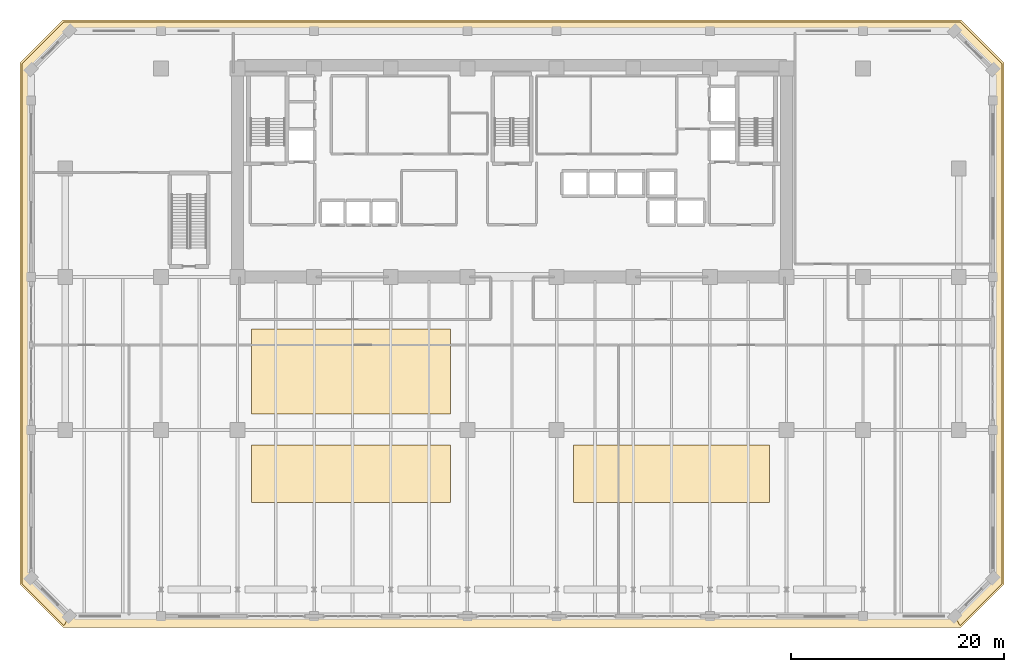
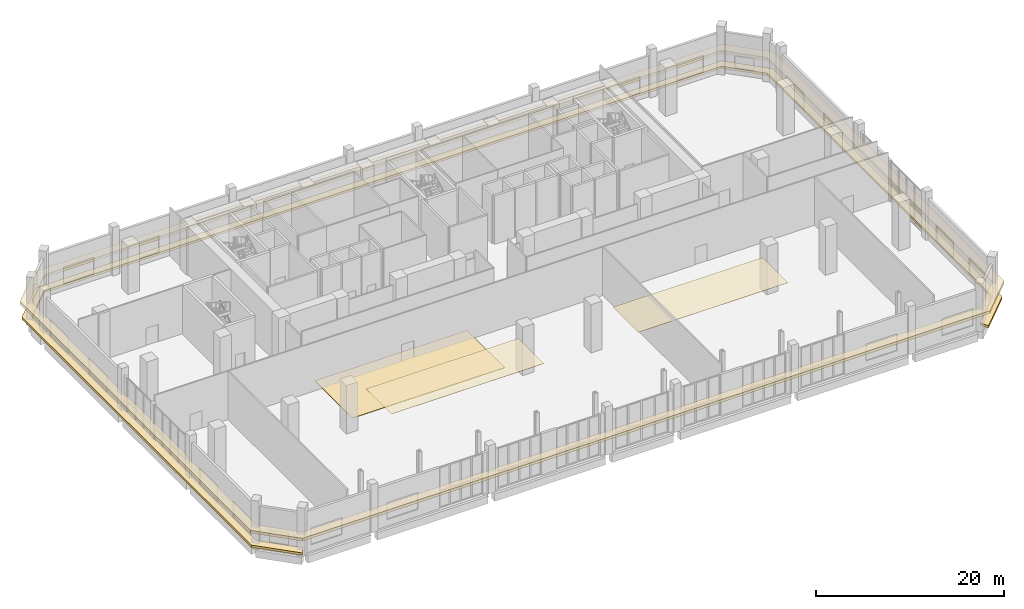
# One storey, part 27 of 29: 5 coverings.
"""IFC4 building model written with IfcOpenShell, lengths in metres."""

from ifc_helpers import new_model, si_unit, direction, frame, origin, place, context, subcontext, project, spatial, polyline, outline, extrude, material, layer, layer_set, type_object, element, save


model = new_model("IFC4")

# Units and contexts
model_context = context("Model", 3, precision=1e-05, world=origin(), true_north=direction((0.0, 1.0)))
body_context = subcontext(model_context, "Body", "Model", "MODEL_VIEW")
ifc_project = project(units=[si_unit("LENGTHUNIT", "METRE"), si_unit("AREAUNIT", "SQUARE_METRE"), si_unit("VOLUMEUNIT", "CUBIC_METRE"), si_unit("PLANEANGLEUNIT", "RADIAN"), si_unit("MASSUNIT", "GRAM", prefix="KILO")], contexts=[model_context])

# Site, building, storey
site_placement = place(None, origin())
site = spatial("IfcSite", under=ifc_project, at=site_placement, CompositionType="ELEMENT")
building_placement = place(site_placement, origin())
building = spatial("IfcBuilding", under=site, at=building_placement, Name="Kaelvorn Grand Hotel", CompositionType="ELEMENT")
storey_placement = place(building_placement, frame((0.0, 0.0, 19.39990234375)))
storey = spatial("IfcBuildingStorey", under=building, at=storey_placement, Name="L03", CompositionType="ELEMENT", Elevation=19.39990234375)

# Coverings
ifc_material_1 = material(Name="Precast concrete C45/55", Category="concrete")
ifc_layer_1 = layer(ifc_material_1, 0.260009765625)
ifc_layer_set_1 = layer_set([ifc_layer_1], Name="Precast concrete C45/55")
covering_type_1 = type_object("IfcCoveringType", Name="COV-BAND-STREAMLINE-HEAD", PredefinedType="CLADDING", material=ifc_layer_set_1)
covering_1_placement = place(storey_placement, frame((0.0, 0.0, 2.420166015625)))
element("IfcCovering", 1, at=covering_1_placement, inside=storey, type_object=covering_type_1, Name="L03 Streamline Moderne Wraparound Horizontal Eyebrow Band", PredefinedType="CLADDING", context=body_context, shape_type="SweptSolid", body=[
    extrude(outline(polyline([(-0.2099609375, -3.550048828125), (84.2099609375, -3.550048828125), (88.25, 0.489990234375), (88.25, 49.510009765625), (84.2099609375, 53.550048828125), (-0.2099609375, 53.550048828125), (-4.25, 49.510009765625), (-4.25, 0.489990234375), (-0.2099609375, -3.550048828125)]), holes=[polyline([(0.419921875, -2.469970703125), (83.580078125, -2.469970703125), (87.169921875, 1.1201171875), (87.169921875, 48.8798828125), (83.580078125, 52.469970703125), (0.419921875, 52.469970703125), (-3.169921875, 48.8798828125), (-3.169921875, 1.1201171875), (0.419921875, -2.469970703125)])]), origin(), (0.0, 0.0, 1.0), 0.35986328125),
])
ifc_layer_2 = layer(ifc_material_1, 0.219970703125)
ifc_layer_set_2 = layer_set([ifc_layer_2], Name="Precast concrete C45/55")
covering_type_2 = type_object("IfcCoveringType", Name="COV-BAND-STREAMLINE-SILL", PredefinedType="CLADDING", material=ifc_layer_set_2)
covering_2_placement = place(storey_placement, frame((0.0, 0.0, 0.4501953125)))
element("IfcCovering", 2, at=covering_2_placement, inside=storey, type_object=covering_type_2, Name="L03 Streamline Moderne Wraparound Horizontal Sill Spandrel Band", PredefinedType="CLADDING", context=body_context, shape_type="SweptSolid", body=[
    extrude(outline(polyline([(84.115478515625, -3.3798828125), (88.080078125, 0.58447265625), (88.080078125, 49.41552734375), (84.115478515625, 53.3798828125), (-0.115478515625, 53.3798828125), (-4.080078125, 49.41552734375), (-4.080078125, 0.58447265625), (-0.115478515625, -3.3798828125), (0.41748046875, -2.469970703125), (-3.169921875, 1.11767578125), (-3.169921875, 48.88232421875), (0.41748046875, 52.469970703125), (83.58251953125, 52.469970703125), (87.169921875, 48.88232421875), (87.169921875, 1.11767578125), (83.58251953125, -2.469970703125), (84.115478515625, -3.3798828125)])), origin(), (0.0, 0.0, 1.0), 0.2998046875),
])
ifc_material_2 = material(Name="Slatted Malaysian Teak Timber Acoustic Baffle", Category="wood")
ifc_layer_3 = layer(ifc_material_2, 0.034912109375)
ifc_layer_set_3 = layer_set([ifc_layer_3], Name="Slatted Malaysian Teak Timber Acoustic Baffle")
covering_type_3 = type_object("IfcCoveringType", Name="COV-CEIL-TIMBER-35", PredefinedType="CEILING", material=ifc_layer_set_3)
covering_3_placement = place(storey_placement, frame((0.0, 0.0, 5.5625)))
element("IfcCovering", 3, at=covering_3_placement, inside=storey, type_object=covering_type_3, Name="L03 Suspended Acoustic Ceiling Panel 1", PredefinedType="CEILING", context=body_context, shape_type="SweptSolid", body=[
    extrude(outline(polyline([(17.5, 8.199951171875), (36.199951171875, 8.199951171875), (36.199951171875, 13.60009765625), (17.5, 13.60009765625), (17.5, 8.199951171875)])), origin(), (0.0, 0.0, 1.0), 0.03515625),
])
covering_4_placement = place(storey_placement, frame((0.0, 0.0, 5.5625)))
element("IfcCovering", 4, at=covering_4_placement, inside=storey, type_object=covering_type_3, Name="L03 Suspended Acoustic Ceiling Panel 2", PredefinedType="CEILING", context=body_context, shape_type="SweptSolid", body=[
    extrude(outline(polyline([(47.800048828125, 8.199951171875), (66.199951171875, 8.199951171875), (66.199951171875, 13.60009765625), (47.800048828125, 13.60009765625), (47.800048828125, 8.199951171875)])), origin(), (0.0, 0.0, 1.0), 0.03515625),
])
ifc_material_3 = material(Name="Polished Terrazzo Stone Tile", Category="masonry")
ifc_layer_4 = layer(ifc_material_3, 0.0400390625)
ifc_layer_set_4 = layer_set([ifc_layer_4], Name="Polished Terrazzo Stone Tile")
covering_type_4 = type_object("IfcCoveringType", Name="COV-FLR-TERRAZZO-40", PredefinedType="FLOORING", material=ifc_layer_set_4)
covering_5_placement = place(storey_placement, origin())
element("IfcCovering", 5, at=covering_5_placement, inside=storey, type_object=covering_type_4, Name="L03 Terrazzo Concourse Floor Finish", PredefinedType="FLOORING", context=body_context, shape_type="SweptSolid", body=[
    extrude(outline(polyline([(17.5, 16.5), (36.199951171875, 16.5), (36.199951171875, 24.5), (17.5, 24.5), (17.5, 16.5)])), origin(), (0.0, 0.0, 1.0), 0.0400390625),
])

save(model, "model.ifc")
